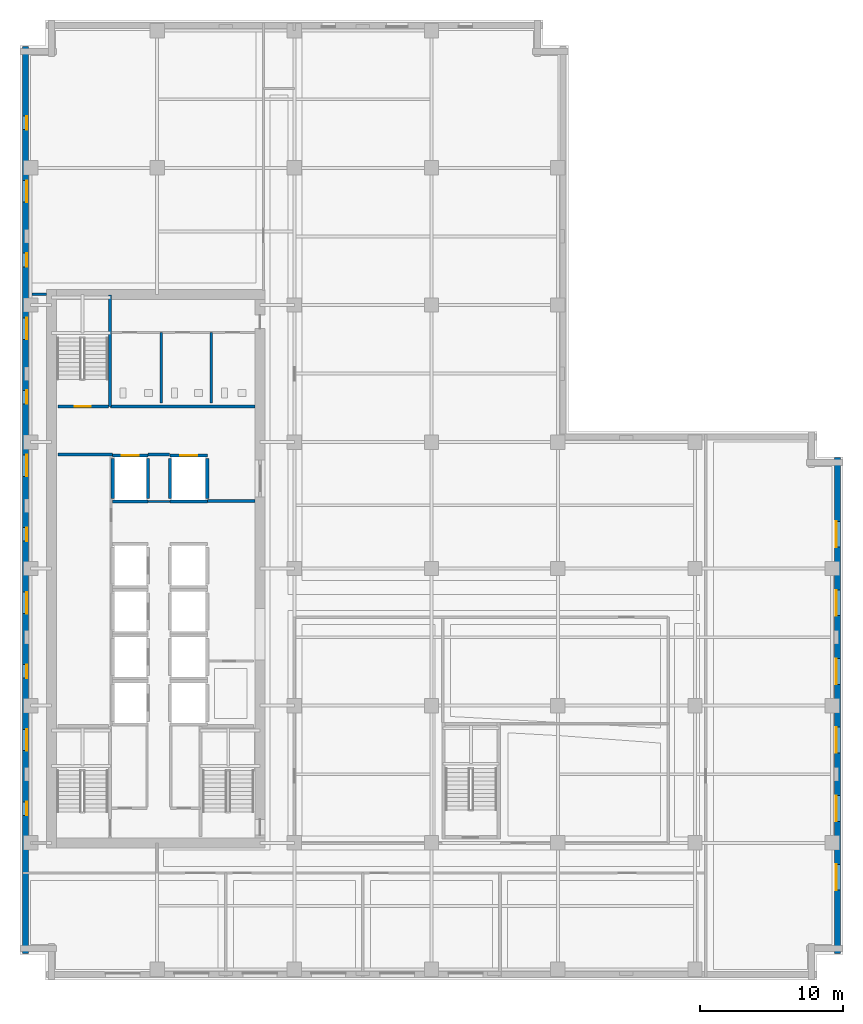
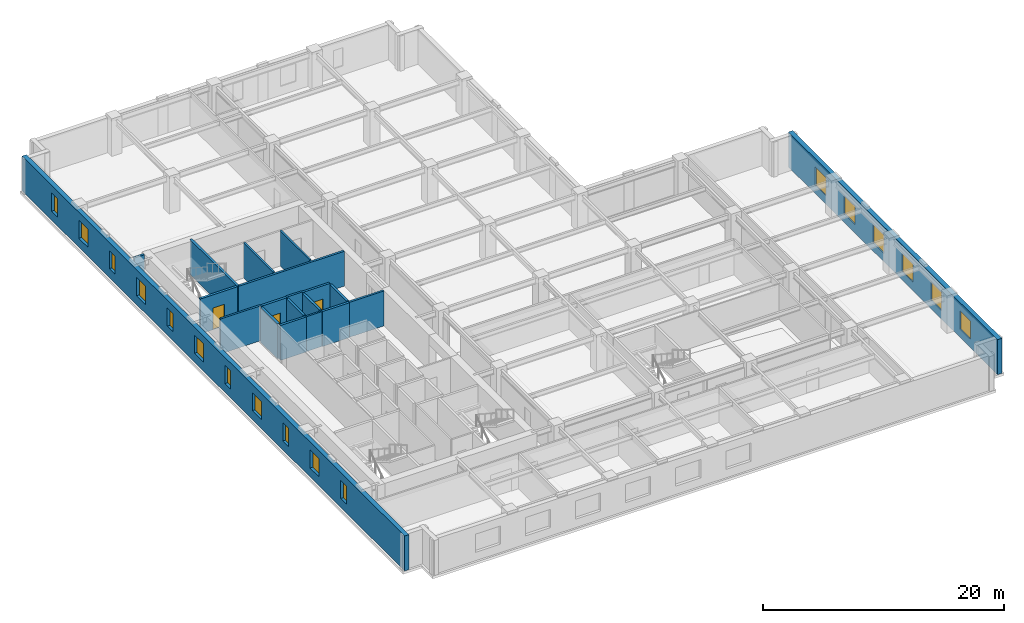
# One storey, part 5 of 11: 20 walls, 17 windows, 3 doors, 20 openings.
"""IFC4 building model written with IfcOpenShell, lengths in metres."""

from ifc_helpers import new_model, si_unit, direction, frame, frame_2d, origin, place, context, subcontext, project, spatial, rectangle, extrude, material, layer, layer_set, type_object, element, fill, save


model = new_model("IFC4")

# Units and contexts
model_context = context("Model", 3, precision=1e-05, world=origin(), true_north=direction((0.0, 1.0)))
body_context = subcontext(model_context, "Body", "Model", "MODEL_VIEW")
ifc_project = project(units=[si_unit("LENGTHUNIT", "METRE"), si_unit("AREAUNIT", "SQUARE_METRE"), si_unit("VOLUMEUNIT", "CUBIC_METRE"), si_unit("PLANEANGLEUNIT", "RADIAN"), si_unit("MASSUNIT", "GRAM", prefix="KILO")], contexts=[model_context])

# Site, building, storey
site_placement = place(None, origin())
site = spatial("IfcSite", under=ifc_project, at=site_placement, CompositionType="ELEMENT")
building_placement = place(site_placement, origin())
building = spatial("IfcBuilding", under=site, at=building_placement, Name="Norrvale University Quadrangle", CompositionType="ELEMENT")
storey_placement = place(building_placement, frame((0.0, 0.0, 124.199951171875)))
storey = spatial("IfcBuildingStorey", under=building, at=storey_placement, Name="L31", CompositionType="ELEMENT", Elevation=124.199951171875)

# Wall, openings, windows
ifc_material_1 = material(Name="Buff Norman Clay Brick Masonry", Category="masonry")
ifc_layer_1 = layer(ifc_material_1, 0.419921875, Name="Buff Norman Clay Brick Masonry")
ifc_layer_set_1 = layer_set([ifc_layer_1], Name="Buff Norman Clay Brick Masonry")
wall_type_1 = type_object("IfcWallType", Name="Wall Buff Brick 420", PredefinedType="SOLIDWALL", material=ifc_layer_set_1)
wall_1_placement = place(storey_placement, frame((57.2099609375, 1.840087890625, 0.0), z_axis=(0.0, 0.0, 1.0), x_axis=(0.0, 1.0, 0.0)))
wall_1 = element("IfcWall", 1, at=wall_1_placement, inside=storey, type_object=wall_type_1, Name="Exterior Brick Facade Wall L31-04.1", PredefinedType="SOLIDWALL", context=body_context, shape_type="SweptSolid", body=[
    extrude(rectangle(XDim=34.719970703125, YDim=0.419921875, at=frame_2d((17.35986328125, 0.0))), origin(), (0.0, 0.0, 1.0), 3.5400390625),
])
opening_1_placement = place(wall_1_placement, frame((4.4599609375, 0.0, 0.85009765625)))
opening_1 = element("IfcOpeningElement", 2, at=opening_1_placement, cuts=wall_1, Name="Opening W01", PredefinedType="OPENING", context=body_context, shape_type="SweptSolid", body=[
    extrude(rectangle(XDim=1.800048828125, YDim=1.85009765625, at=frame_2d((0.89990234375, 0.925048828125))), frame((0.0, 0.221923828125, 0.0), z_axis=(0.0, -1.0, 0.0), x_axis=(1.0, 0.0, 0.0)), (0.0, 0.0, 1.0), 0.44384765625),
])
opening_2_placement = place(wall_1_placement, frame((9.260009765625, 0.0, 0.85009765625)))
opening_2 = element("IfcOpeningElement", 3, at=opening_2_placement, cuts=wall_1, Name="Opening W01", PredefinedType="OPENING", context=body_context, shape_type="SweptSolid", body=[
    extrude(rectangle(XDim=1.800048828125, YDim=1.85009765625, at=frame_2d((0.89990234375, 0.925048828125))), frame((0.0, 0.221923828125, 0.0), z_axis=(0.0, -1.0, 0.0), x_axis=(1.0, 0.0, 0.0)), (0.0, 0.0, 1.0), 0.44384765625),
])
opening_3_placement = place(wall_1_placement, frame((14.06005859375, 0.0, 0.85009765625)))
opening_3 = element("IfcOpeningElement", 4, at=opening_3_placement, cuts=wall_1, Name="Opening W01", PredefinedType="OPENING", context=body_context, shape_type="SweptSolid", body=[
    extrude(rectangle(XDim=1.800048828125, YDim=1.85009765625, at=frame_2d((0.89990234375, 0.925048828125))), frame((0.0, 0.221923828125, 0.0), z_axis=(0.0, -1.0, 0.0), x_axis=(1.0, 0.0, 0.0)), (0.0, 0.0, 1.0), 0.44384765625),
])
opening_4_placement = place(wall_1_placement, frame((18.860107421875, 0.0, 0.85009765625)))
opening_4 = element("IfcOpeningElement", 5, at=opening_4_placement, cuts=wall_1, Name="Opening W01", PredefinedType="OPENING", context=body_context, shape_type="SweptSolid", body=[
    extrude(rectangle(XDim=1.800048828125, YDim=1.85009765625, at=frame_2d((0.89990234375, 0.925048828125))), frame((0.0, 0.221923828125, 0.0), z_axis=(0.0, -1.0, 0.0), x_axis=(1.0, 0.0, 0.0)), (0.0, 0.0, 1.0), 0.44384765625),
])
opening_5_placement = place(wall_1_placement, frame((23.659912109375, 0.0, 0.85009765625)))
opening_5 = element("IfcOpeningElement", 6, at=opening_5_placement, cuts=wall_1, Name="Opening W01", PredefinedType="OPENING", context=body_context, shape_type="SweptSolid", body=[
    extrude(rectangle(XDim=1.800048828125, YDim=1.85009765625, at=frame_2d((0.89990234375, 0.925048828125))), frame((0.0, 0.221923828125, 0.0), z_axis=(0.0, -1.0, 0.0), x_axis=(1.0, 0.0, 0.0)), (0.0, 0.0, 1.0), 0.44384765625),
])
opening_6_placement = place(wall_1_placement, frame((28.4599609375, 0.0, 0.85009765625)))
opening_6 = element("IfcOpeningElement", 7, at=opening_6_placement, cuts=wall_1, Name="Opening W01", PredefinedType="OPENING", context=body_context, shape_type="SweptSolid", body=[
    extrude(rectangle(XDim=1.800048828125, YDim=1.85009765625, at=frame_2d((0.89990234375, 0.925048828125))), frame((0.0, 0.221923828125, 0.0), z_axis=(0.0, -1.0, 0.0), x_axis=(1.0, 0.0, 0.0)), (0.0, 0.0, 1.0), 0.44384765625),
])
ifc_material_2 = material(Name="Triple Low-E Argon Glazing", Category="glass")
window_type_1 = type_object("IfcWindowType", Name="Window Academic 1800x2300", PartitioningType="DOUBLE_PANEL_VERTICAL", PredefinedType="WINDOW", material=ifc_material_2)
window_1_placement = place(opening_1_placement, origin())
window_1 = element("IfcWindow", 8, at=window_1_placement, inside=storey, type_object=window_type_1, Name="Window Academic 1800x2300 WIN-L31-E04-1-01", OverallHeight=1.85009765625, OverallWidth=1.800048828125, PartitioningType="DOUBLE_PANEL_VERTICAL", PredefinedType="WINDOW", context=body_context, shape_type="SweptSolid", body=[
    extrude(rectangle(XDim=1.800048828125, YDim=1.85009765625, at=frame_2d((0.89990234375, 0.925048828125))), frame((0.0, 0.110107421875, 0.0), z_axis=(0.0, -1.0, 0.0), x_axis=(1.0, 0.0, 0.0)), (0.0, 0.0, 1.0), 0.06005859375),
])
fill(opening_1, window_1)
window_2_placement = place(opening_2_placement, origin())
window_2 = element("IfcWindow", 9, at=window_2_placement, inside=storey, type_object=window_type_1, Name="Window Academic 1800x2300 WIN-L31-E04-1-02", OverallHeight=1.85009765625, OverallWidth=1.800048828125, PartitioningType="DOUBLE_PANEL_VERTICAL", PredefinedType="WINDOW", context=body_context, shape_type="SweptSolid", body=[
    extrude(rectangle(XDim=1.800048828125, YDim=1.85009765625, at=frame_2d((0.89990234375, 0.925048828125))), frame((0.0, 0.110107421875, 0.0), z_axis=(0.0, -1.0, 0.0), x_axis=(1.0, 0.0, 0.0)), (0.0, 0.0, 1.0), 0.06005859375),
])
fill(opening_2, window_2)
window_3_placement = place(opening_3_placement, origin())
window_3 = element("IfcWindow", 10, at=window_3_placement, inside=storey, type_object=window_type_1, Name="Window Academic 1800x2300 WIN-L31-E04-1-03", OverallHeight=1.85009765625, OverallWidth=1.800048828125, PartitioningType="DOUBLE_PANEL_VERTICAL", PredefinedType="WINDOW", context=body_context, shape_type="SweptSolid", body=[
    extrude(rectangle(XDim=1.800048828125, YDim=1.85009765625, at=frame_2d((0.89990234375, 0.925048828125))), frame((0.0, 0.110107421875, 0.0), z_axis=(0.0, -1.0, 0.0), x_axis=(1.0, 0.0, 0.0)), (0.0, 0.0, 1.0), 0.06005859375),
])
fill(opening_3, window_3)
window_4_placement = place(opening_4_placement, origin())
window_4 = element("IfcWindow", 11, at=window_4_placement, inside=storey, type_object=window_type_1, Name="Window Academic 1800x2300 WIN-L31-E04-1-04", OverallHeight=1.85009765625, OverallWidth=1.800048828125, PartitioningType="DOUBLE_PANEL_VERTICAL", PredefinedType="WINDOW", context=body_context, shape_type="SweptSolid", body=[
    extrude(rectangle(XDim=1.800048828125, YDim=1.85009765625, at=frame_2d((0.89990234375, 0.925048828125))), frame((0.0, 0.110107421875, 0.0), z_axis=(0.0, -1.0, 0.0), x_axis=(1.0, 0.0, 0.0)), (0.0, 0.0, 1.0), 0.06005859375),
])
fill(opening_4, window_4)
window_5_placement = place(opening_5_placement, origin())
window_5 = element("IfcWindow", 12, at=window_5_placement, inside=storey, type_object=window_type_1, Name="Window Academic 1800x2300 WIN-L31-E04-1-05", OverallHeight=1.85009765625, OverallWidth=1.800048828125, PartitioningType="DOUBLE_PANEL_VERTICAL", PredefinedType="WINDOW", context=body_context, shape_type="SweptSolid", body=[
    extrude(rectangle(XDim=1.800048828125, YDim=1.85009765625, at=frame_2d((0.89990234375, 0.925048828125))), frame((0.0, 0.110107421875, 0.0), z_axis=(0.0, -1.0, 0.0), x_axis=(1.0, 0.0, 0.0)), (0.0, 0.0, 1.0), 0.06005859375),
])
fill(opening_5, window_5)
window_6_placement = place(opening_6_placement, origin())
window_6 = element("IfcWindow", 13, at=window_6_placement, inside=storey, type_object=window_type_1, Name="Window Academic 1800x2300 WIN-L31-E04-1-06", OverallHeight=1.85009765625, OverallWidth=1.800048828125, PartitioningType="DOUBLE_PANEL_VERTICAL", PredefinedType="WINDOW", context=body_context, shape_type="SweptSolid", body=[
    extrude(rectangle(XDim=1.800048828125, YDim=1.85009765625, at=frame_2d((0.89990234375, 0.925048828125))), frame((0.0, 0.110107421875, 0.0), z_axis=(0.0, -1.0, 0.0), x_axis=(1.0, 0.0, 0.0)), (0.0, 0.0, 1.0), 0.06005859375),
])
fill(opening_6, window_6)

wall_2_placement = place(storey_placement, frame((0.389892578125, 65.360107421875, 0.0), z_axis=(0.0, 0.0, 1.0), x_axis=(0.0, -1.0, 0.0)))
wall_2 = element("IfcWall", 14, at=wall_2_placement, inside=storey, type_object=wall_type_1, Name="Exterior Brick Facade Wall L31-14.1", PredefinedType="SOLIDWALL", context=body_context, shape_type="SweptSolid", body=[
    extrude(rectangle(XDim=63.52001953125, YDim=0.419921875, at=frame_2d((31.760009765625, 0.0))), origin(), (0.0, 0.0, 1.0), 3.5400390625),
])
opening_7_placement = place(wall_2_placement, frame((4.885009765625, 0.0, 0.89990234375)))
opening_7 = element("IfcOpeningElement", 15, at=opening_7_placement, cuts=wall_2, Name="Opening W04", PredefinedType="OPENING", context=body_context, shape_type="SweptSolid", body=[
    extrude(rectangle(XDim=0.949951171875, YDim=1.85009765625, at=frame_2d((0.47509765625, 0.925048828125))), frame((0.0, 0.221923828125, 0.0), z_axis=(0.0, -1.0, 0.0), x_axis=(1.0, 0.0, 0.0)), (0.0, 0.0, 1.0), 0.44384765625),
])
opening_8_placement = place(wall_2_placement, frame((9.409912109375, 0.0, 0.89990234375)))
opening_8 = element("IfcOpeningElement", 16, at=opening_8_placement, cuts=wall_2, Name="Opening W03", PredefinedType="OPENING", context=body_context, shape_type="SweptSolid", body=[
    extrude(rectangle(XDim=1.5, YDim=1.85009765625, at=frame_2d((0.75, 0.925048828125))), frame((0.0, 0.221923828125, 0.0), z_axis=(0.0, -1.0, 0.0), x_axis=(1.0, 0.0, 0.0)), (0.0, 0.0, 1.0), 0.44384765625),
])
opening_9_placement = place(wall_2_placement, frame((14.485107421875, 0.0, 0.89990234375)))
opening_9 = element("IfcOpeningElement", 17, at=opening_9_placement, cuts=wall_2, Name="Opening W04", PredefinedType="OPENING", context=body_context, shape_type="SweptSolid", body=[
    extrude(rectangle(XDim=0.949951171875, YDim=1.85009765625, at=frame_2d((0.47509765625, 0.925048828125))), frame((0.0, 0.221923828125, 0.0), z_axis=(0.0, -1.0, 0.0), x_axis=(1.0, 0.0, 0.0)), (0.0, 0.0, 1.0), 0.44384765625),
])
opening_10_placement = place(wall_2_placement, frame((19.010009765625, 0.0, 0.89990234375)))
opening_10 = element("IfcOpeningElement", 18, at=opening_10_placement, cuts=wall_2, Name="Opening W03", PredefinedType="OPENING", context=body_context, shape_type="SweptSolid", body=[
    extrude(rectangle(XDim=1.5, YDim=1.85009765625, at=frame_2d((0.75, 0.925048828125))), frame((0.0, 0.221923828125, 0.0), z_axis=(0.0, -1.0, 0.0), x_axis=(1.0, 0.0, 0.0)), (0.0, 0.0, 1.0), 0.44384765625),
])
opening_11_placement = place(wall_2_placement, frame((24.0849609375, 0.0, 0.89990234375)))
opening_11 = element("IfcOpeningElement", 19, at=opening_11_placement, cuts=wall_2, Name="Opening W04", PredefinedType="OPENING", context=body_context, shape_type="SweptSolid", body=[
    extrude(rectangle(XDim=0.949951171875, YDim=1.85009765625, at=frame_2d((0.47509765625, 0.925048828125))), frame((0.0, 0.221923828125, 0.0), z_axis=(0.0, -1.0, 0.0), x_axis=(1.0, 0.0, 0.0)), (0.0, 0.0, 1.0), 0.44384765625),
])
opening_12_placement = place(wall_2_placement, frame((28.610107421875, 0.0, 0.89990234375)))
opening_12 = element("IfcOpeningElement", 20, at=opening_12_placement, cuts=wall_2, Name="Opening W03", PredefinedType="OPENING", context=body_context, shape_type="SweptSolid", body=[
    extrude(rectangle(XDim=1.5, YDim=1.85009765625, at=frame_2d((0.75, 0.925048828125))), frame((0.0, 0.221923828125, 0.0), z_axis=(0.0, -1.0, 0.0), x_axis=(1.0, 0.0, 0.0)), (0.0, 0.0, 1.0), 0.44384765625),
])
opening_13_placement = place(wall_2_placement, frame((33.68505859375, 0.0, 0.89990234375)))
opening_13 = element("IfcOpeningElement", 21, at=opening_13_placement, cuts=wall_2, Name="Opening W04", PredefinedType="OPENING", context=body_context, shape_type="SweptSolid", body=[
    extrude(rectangle(XDim=0.949951171875, YDim=1.85009765625, at=frame_2d((0.47509765625, 0.925048828125))), frame((0.0, 0.221923828125, 0.0), z_axis=(0.0, -1.0, 0.0), x_axis=(1.0, 0.0, 0.0)), (0.0, 0.0, 1.0), 0.44384765625),
])
opening_14_placement = place(wall_2_placement, frame((38.2099609375, 0.0, 0.89990234375)))
opening_14 = element("IfcOpeningElement", 22, at=opening_14_placement, cuts=wall_2, Name="Opening W03", PredefinedType="OPENING", context=body_context, shape_type="SweptSolid", body=[
    extrude(rectangle(XDim=1.5, YDim=1.85009765625, at=frame_2d((0.75, 0.925048828125))), frame((0.0, 0.221923828125, 0.0), z_axis=(0.0, -1.0, 0.0), x_axis=(1.0, 0.0, 0.0)), (0.0, 0.0, 1.0), 0.44384765625),
])
opening_15_placement = place(wall_2_placement, frame((43.284912109375, 0.0, 0.89990234375)))
opening_15 = element("IfcOpeningElement", 23, at=opening_15_placement, cuts=wall_2, Name="Opening W04", PredefinedType="OPENING", context=body_context, shape_type="SweptSolid", body=[
    extrude(rectangle(XDim=0.949951171875, YDim=1.85009765625, at=frame_2d((0.47509765625, 0.925048828125))), frame((0.0, 0.221923828125, 0.0), z_axis=(0.0, -1.0, 0.0), x_axis=(1.0, 0.0, 0.0)), (0.0, 0.0, 1.0), 0.44384765625),
])
opening_16_placement = place(wall_2_placement, frame((47.81005859375, 0.0, 0.89990234375)))
opening_16 = element("IfcOpeningElement", 24, at=opening_16_placement, cuts=wall_2, Name="Opening W03", PredefinedType="OPENING", context=body_context, shape_type="SweptSolid", body=[
    extrude(rectangle(XDim=1.5, YDim=1.85009765625, at=frame_2d((0.75, 0.925048828125))), frame((0.0, 0.221923828125, 0.0), z_axis=(0.0, -1.0, 0.0), x_axis=(1.0, 0.0, 0.0)), (0.0, 0.0, 1.0), 0.44384765625),
])
opening_17_placement = place(wall_2_placement, frame((52.885009765625, 0.0, 0.89990234375)))
opening_17 = element("IfcOpeningElement", 25, at=opening_17_placement, cuts=wall_2, Name="Opening W04", PredefinedType="OPENING", context=body_context, shape_type="SweptSolid", body=[
    extrude(rectangle(XDim=0.949951171875, YDim=1.85009765625, at=frame_2d((0.47509765625, 0.925048828125))), frame((0.0, 0.221923828125, 0.0), z_axis=(0.0, -1.0, 0.0), x_axis=(1.0, 0.0, 0.0)), (0.0, 0.0, 1.0), 0.44384765625),
])
window_type_2 = type_object("IfcWindowType", Name="Window Narrow Pier 950x2300", PartitioningType="SINGLE_PANEL", PredefinedType="WINDOW", material=ifc_material_2)
window_7_placement = place(opening_7_placement, origin())
window_7 = element("IfcWindow", 26, at=window_7_placement, inside=storey, type_object=window_type_2, Name="Window Narrow Pier 950x2300 WIN-L31-E14-1-01", OverallHeight=1.85009765625, OverallWidth=0.949951171875, PartitioningType="SINGLE_PANEL", PredefinedType="WINDOW", context=body_context, shape_type="SweptSolid", body=[
    extrude(rectangle(XDim=0.949951171875, YDim=1.85009765625, at=frame_2d((0.47509765625, 0.925048828125))), frame((0.0, 0.110107421875, 0.0), z_axis=(0.0, -1.0, 0.0), x_axis=(1.0, 0.0, 0.0)), (0.0, 0.0, 1.0), 0.06005859375),
])
fill(opening_7, window_7)
window_8_placement = place(opening_9_placement, origin())
window_8 = element("IfcWindow", 27, at=window_8_placement, inside=storey, type_object=window_type_2, Name="Window Narrow Pier 950x2300 WIN-L31-E14-1-03", OverallHeight=1.85009765625, OverallWidth=0.949951171875, PartitioningType="SINGLE_PANEL", PredefinedType="WINDOW", context=body_context, shape_type="SweptSolid", body=[
    extrude(rectangle(XDim=0.949951171875, YDim=1.85009765625, at=frame_2d((0.47509765625, 0.925048828125))), frame((0.0, 0.110107421875, 0.0), z_axis=(0.0, -1.0, 0.0), x_axis=(1.0, 0.0, 0.0)), (0.0, 0.0, 1.0), 0.06005859375),
])
fill(opening_9, window_8)
window_9_placement = place(opening_11_placement, origin())
window_9 = element("IfcWindow", 28, at=window_9_placement, inside=storey, type_object=window_type_2, Name="Window Narrow Pier 950x2300 WIN-L31-E14-1-05", OverallHeight=1.85009765625, OverallWidth=0.949951171875, PartitioningType="SINGLE_PANEL", PredefinedType="WINDOW", context=body_context, shape_type="SweptSolid", body=[
    extrude(rectangle(XDim=0.949951171875, YDim=1.85009765625, at=frame_2d((0.47509765625, 0.925048828125))), frame((0.0, 0.110107421875, 0.0), z_axis=(0.0, -1.0, 0.0), x_axis=(1.0, 0.0, 0.0)), (0.0, 0.0, 1.0), 0.06005859375),
])
fill(opening_11, window_9)
window_10_placement = place(opening_13_placement, origin())
window_10 = element("IfcWindow", 29, at=window_10_placement, inside=storey, type_object=window_type_2, Name="Window Narrow Pier 950x2300 WIN-L31-E14-1-07", OverallHeight=1.85009765625, OverallWidth=0.949951171875, PartitioningType="SINGLE_PANEL", PredefinedType="WINDOW", context=body_context, shape_type="SweptSolid", body=[
    extrude(rectangle(XDim=0.949951171875, YDim=1.85009765625, at=frame_2d((0.47509765625, 0.925048828125))), frame((0.0, 0.110107421875, 0.0), z_axis=(0.0, -1.0, 0.0), x_axis=(1.0, 0.0, 0.0)), (0.0, 0.0, 1.0), 0.06005859375),
])
fill(opening_13, window_10)
window_11_placement = place(opening_15_placement, origin())
window_11 = element("IfcWindow", 30, at=window_11_placement, inside=storey, type_object=window_type_2, Name="Window Narrow Pier 950x2300 WIN-L31-E14-1-09", OverallHeight=1.85009765625, OverallWidth=0.949951171875, PartitioningType="SINGLE_PANEL", PredefinedType="WINDOW", context=body_context, shape_type="SweptSolid", body=[
    extrude(rectangle(XDim=0.949951171875, YDim=1.85009765625, at=frame_2d((0.47509765625, 0.925048828125))), frame((0.0, 0.110107421875, 0.0), z_axis=(0.0, -1.0, 0.0), x_axis=(1.0, 0.0, 0.0)), (0.0, 0.0, 1.0), 0.06005859375),
])
fill(opening_15, window_11)
window_12_placement = place(opening_17_placement, origin())
window_12 = element("IfcWindow", 31, at=window_12_placement, inside=storey, type_object=window_type_2, Name="Window Narrow Pier 950x2300 WIN-L31-E14-1-11", OverallHeight=1.85009765625, OverallWidth=0.949951171875, PartitioningType="SINGLE_PANEL", PredefinedType="WINDOW", context=body_context, shape_type="SweptSolid", body=[
    extrude(rectangle(XDim=0.949951171875, YDim=1.85009765625, at=frame_2d((0.47509765625, 0.925048828125))), frame((0.0, 0.110107421875, 0.0), z_axis=(0.0, -1.0, 0.0), x_axis=(1.0, 0.0, 0.0)), (0.0, 0.0, 1.0), 0.06005859375),
])
fill(opening_17, window_12)
window_type_3 = type_object("IfcWindowType", Name="Window Studio 1500x2300", PartitioningType="DOUBLE_PANEL_VERTICAL", PredefinedType="WINDOW", material=ifc_material_2)
window_13_placement = place(opening_8_placement, origin())
window_13 = element("IfcWindow", 32, at=window_13_placement, inside=storey, type_object=window_type_3, Name="Window Studio 1500x2300 WIN-L31-E14-1-02", OverallHeight=1.85009765625, OverallWidth=1.5, PartitioningType="DOUBLE_PANEL_VERTICAL", PredefinedType="WINDOW", context=body_context, shape_type="SweptSolid", body=[
    extrude(rectangle(XDim=1.5, YDim=1.85009765625, at=frame_2d((0.75, 0.925048828125))), frame((0.0, 0.110107421875, 0.0), z_axis=(0.0, -1.0, 0.0), x_axis=(1.0, 0.0, 0.0)), (0.0, 0.0, 1.0), 0.06005859375),
])
fill(opening_8, window_13)
window_14_placement = place(opening_10_placement, origin())
window_14 = element("IfcWindow", 33, at=window_14_placement, inside=storey, type_object=window_type_3, Name="Window Studio 1500x2300 WIN-L31-E14-1-04", OverallHeight=1.85009765625, OverallWidth=1.5, PartitioningType="DOUBLE_PANEL_VERTICAL", PredefinedType="WINDOW", context=body_context, shape_type="SweptSolid", body=[
    extrude(rectangle(XDim=1.5, YDim=1.85009765625, at=frame_2d((0.75, 0.925048828125))), frame((0.0, 0.110107421875, 0.0), z_axis=(0.0, -1.0, 0.0), x_axis=(1.0, 0.0, 0.0)), (0.0, 0.0, 1.0), 0.06005859375),
])
fill(opening_10, window_14)
window_15_placement = place(opening_12_placement, origin())
window_15 = element("IfcWindow", 34, at=window_15_placement, inside=storey, type_object=window_type_3, Name="Window Studio 1500x2300 WIN-L31-E14-1-06", OverallHeight=1.85009765625, OverallWidth=1.5, PartitioningType="DOUBLE_PANEL_VERTICAL", PredefinedType="WINDOW", context=body_context, shape_type="SweptSolid", body=[
    extrude(rectangle(XDim=1.5, YDim=1.85009765625, at=frame_2d((0.75, 0.925048828125))), frame((0.0, 0.110107421875, 0.0), z_axis=(0.0, -1.0, 0.0), x_axis=(1.0, 0.0, 0.0)), (0.0, 0.0, 1.0), 0.06005859375),
])
fill(opening_12, window_15)
window_16_placement = place(opening_14_placement, origin())
window_16 = element("IfcWindow", 35, at=window_16_placement, inside=storey, type_object=window_type_3, Name="Window Studio 1500x2300 WIN-L31-E14-1-08", OverallHeight=1.85009765625, OverallWidth=1.5, PartitioningType="DOUBLE_PANEL_VERTICAL", PredefinedType="WINDOW", context=body_context, shape_type="SweptSolid", body=[
    extrude(rectangle(XDim=1.5, YDim=1.85009765625, at=frame_2d((0.75, 0.925048828125))), frame((0.0, 0.110107421875, 0.0), z_axis=(0.0, -1.0, 0.0), x_axis=(1.0, 0.0, 0.0)), (0.0, 0.0, 1.0), 0.06005859375),
])
fill(opening_14, window_16)
window_17_placement = place(opening_16_placement, origin())
window_17 = element("IfcWindow", 36, at=window_17_placement, inside=storey, type_object=window_type_3, Name="Window Studio 1500x2300 WIN-L31-E14-1-10", OverallHeight=1.85009765625, OverallWidth=1.5, PartitioningType="DOUBLE_PANEL_VERTICAL", PredefinedType="WINDOW", context=body_context, shape_type="SweptSolid", body=[
    extrude(rectangle(XDim=1.5, YDim=1.85009765625, at=frame_2d((0.75, 0.925048828125))), frame((0.0, 0.110107421875, 0.0), z_axis=(0.0, -1.0, 0.0), x_axis=(1.0, 0.0, 0.0)), (0.0, 0.0, 1.0), 0.06005859375),
])
fill(opening_16, window_17)

# Walls
ifc_material_3 = material(Name="Fire-Rated Gypsum Stud Partition")
ifc_layer_2 = layer(ifc_material_3, 0.14990234375, Name="Fire-Rated Gypsum Stud Partition")
ifc_layer_set_2 = layer_set([ifc_layer_2], Name="Fire-Rated Gypsum Stud Partition")
wall_type_2 = type_object("IfcWallType", Name="Wall Gypsum Corridor 150", PredefinedType="PARTITIONING", material=ifc_layer_set_2)
wall_3_placement = place(storey_placement, frame((8.965087890625, 33.489990234375, 0.0), z_axis=(0.0, 0.0, 1.0), x_axis=(1.0, 0.0, 0.0)))
element("IfcWall", 37, at=wall_3_placement, inside=storey, type_object=wall_type_2, Name="Interior Partition WL-L31-LL3", PredefinedType="PARTITIONING", context=body_context, shape_type="SweptSolid", body=[
    extrude(rectangle(XDim=1.52001953125, YDim=0.14990234375, at=frame_2d((0.760009765625, 0.0))), origin(), (0.0, 0.0, 1.0), 3.5400390625),
])
ifc_material_4 = material(Name="Sanitary Chase Gypsum Partition")
ifc_layer_3 = layer(ifc_material_4, 0.1650390625, Name="Sanitary Chase Gypsum Partition")
ifc_layer_set_3 = layer_set([ifc_layer_3], Name="Sanitary Chase Gypsum Partition")
wall_type_3 = type_object("IfcWallType", Name="Wall Gypsum Sanitary 165", PredefinedType="PLUMBINGWALL", material=ifc_layer_set_3)
for number, where, z_axis, x_axis, name in (
    (38, (9.89990234375, 40.39990234375, 0.0), (0.0, 0.0, 1.0), (0.0, 1.0, 0.0), "Interior Partition WL-L31-WCM1"),
    (39, (13.39990234375, 40.39990234375, 0.0), (0.0, 0.0, 1.0), (0.0, 1.0, 0.0), "Interior Partition WL-L31-WCM2"),
):
    element("IfcWall", number, at=place(storey_placement, frame(where, z_axis=z_axis, x_axis=x_axis)), inside=storey, type_object=wall_type_3, Name=name, PredefinedType="PLUMBINGWALL", context=body_context, shape_type="SweptSolid", body=[
        extrude(rectangle(XDim=4.920166015625, YDim=0.1650390625, at=frame_2d((2.4599609375, 0.0))), origin(), (0.0, 0.0, 1.0), 3.5400390625),
    ])
ifc_material_5 = material(Name="Concrete Blockwork 20 MPa Rated Wall", Category="masonry")
ifc_layer_4 = layer(ifc_material_5, 0.199951171875, Name="Concrete Blockwork 20 MPa Rated Wall")
ifc_layer_set_4 = layer_set([ifc_layer_4], Name="Concrete Blockwork 20 MPa Rated Wall")
wall_type_4 = type_object("IfcWallType", Name="Wall Lobby 200", PredefinedType="SOLIDWALL", material=ifc_layer_set_4)
wall_4_placement = place(storey_placement, frame((2.64990234375, 36.780029296875, 0.0), z_axis=(0.0, 0.0, 1.0), x_axis=(1.0, 0.0, 0.0)))
element("IfcWall", 40, at=wall_4_placement, inside=storey, type_object=wall_type_4, Name="Interior Partition WL-L31-FF1", PredefinedType="SOLIDWALL", context=body_context, shape_type="SweptSolid", body=[
    extrude(rectangle(XDim=3.830078125, YDim=0.199951171875, at=frame_2d((1.9150390625, 0.0))), origin(), (0.0, 0.0, 1.0), 3.5400390625),
])
wall_5_placement = place(storey_placement, frame((8.969970703125, 36.780029296875, 0.0), z_axis=(0.0, 0.0, 1.0), x_axis=(1.0, 0.0, 0.0)))
element("IfcWall", 41, at=wall_5_placement, inside=storey, type_object=wall_type_4, Name="Interior Partition WL-L31-FF2", PredefinedType="SOLIDWALL", context=body_context, shape_type="SweptSolid", body=[
    extrude(rectangle(XDim=1.510009765625, YDim=0.199951171875, at=frame_2d((0.7548828125, 0.0))), origin(), (0.0, 0.0, 1.0), 3.5400390625),
])
wall_6_placement = place(storey_placement, frame((13.1201171875, 33.52001953125, 0.0), z_axis=(0.0, 0.0, 1.0), x_axis=(1.0, 0.0, 0.0)))
element("IfcWall", 42, at=wall_6_placement, inside=storey, type_object=wall_type_4, Name="Interior Partition WL-L31-FF3", PredefinedType="SOLIDWALL", context=body_context, shape_type="SweptSolid", body=[
    extrude(rectangle(XDim=3.329833984375, YDim=0.199951171875, at=frame_2d((1.6650390625, 0.0))), origin(), (0.0, 0.0, 1.0), 3.5400390625),
])
wall_7_placement = place(storey_placement, frame((6.320068359375, 40.139892578125, 0.0), z_axis=(0.0, 0.0, 1.0), x_axis=(1.0, 0.0, 0.0)))
element("IfcWall", 43, at=wall_7_placement, inside=storey, type_object=wall_type_4, Name="Interior Partition WL-L31-FF4", PredefinedType="SOLIDWALL", context=body_context, shape_type="SweptSolid", body=[
    extrude(rectangle(XDim=10.1298828125, YDim=0.199951171875, at=frame_2d((5.06494140625, 0.0))), origin(), (0.0, 0.0, 1.0), 3.5400390625),
])
wall_8_placement = place(storey_placement, frame((0.85009765625, 48.0, 0.0), z_axis=(0.0, 0.0, 1.0), x_axis=(1.0, 0.0, 0.0)))
element("IfcWall", 44, at=wall_8_placement, inside=storey, type_object=wall_type_4, Name="Interior Partition WL-L31-CWRET-N", PredefinedType="SOLIDWALL", context=body_context, shape_type="SweptSolid", body=[
    extrude(rectangle(XDim=0.994873046875, YDim=0.199951171875, at=frame_2d((0.49755859375, 0.0))), origin(), (0.0, 0.0, 1.0), 3.5400390625),
])

# Wall, opening, door
ifc_material_6 = material(Name="Concrete Blockwork 20 MPa Fire Shaft", Category="masonry")
ifc_layer_5 = layer(ifc_material_6, 0.219970703125, Name="Concrete Blockwork 20 MPa Fire Shaft")
ifc_layer_set_5 = layer_set([ifc_layer_5], Name="Concrete Blockwork 20 MPa Fire Shaft")
wall_type_5 = type_object("IfcWallType", Name="Wall Shaft 220", PredefinedType="SOLIDWALL", material=ifc_layer_set_5)
wall_9_placement = place(storey_placement, frame((2.64990234375, 40.139892578125, 0.0), z_axis=(0.0, 0.0, 1.0), x_axis=(1.0, 0.0, 0.0)))
wall_9 = element("IfcWall", 45, at=wall_9_placement, inside=storey, type_object=wall_type_5, Name="Stair ST-02 South Shaft Wall L31", PredefinedType="SOLIDWALL", context=body_context, shape_type="SweptSolid", body=[
    extrude(rectangle(XDim=3.550048828125, YDim=0.219970703125, at=frame_2d((1.77490234375, 0.0))), origin(), (0.0, 0.0, 1.0), 3.5400390625),
])
opening_18_placement = place(wall_9_placement, frame((1.199951171875, 0.0, 0.0)))
opening_18 = element("IfcOpeningElement", 46, at=opening_18_placement, cuts=wall_9, Name="Opening D02", PredefinedType="OPENING", context=body_context, shape_type="SweptSolid", body=[
    extrude(rectangle(XDim=1.10009765625, YDim=2.199951171875, at=frame_2d((0.550048828125, 1.10009765625))), frame((0.0, 0.1220703125, 0.0), z_axis=(0.0, -1.0, 0.0), x_axis=(1.0, 0.0, 0.0)), (0.0, 0.0, 1.0), 0.243896484375),
])
ifc_material_7 = material(Name="Hollow Steel 350W Fire Door", Category="steel")
door_type_1 = type_object("IfcDoorType", Name="Door Stair Exit 1100x2200", OperationType="NOTDEFINED", PredefinedType="DOOR", material=ifc_material_7)
door_1_placement = place(opening_18_placement, origin())
door_1 = element("IfcDoor", 47, at=door_1_placement, inside=storey, type_object=door_type_1, Name="Door Stair Exit 1100x2200 DR-L31-ST02", OperationType="SINGLE_SWING_LEFT", OverallHeight=2.199951171875, OverallWidth=1.10009765625, PredefinedType="DOOR", context=body_context, shape_type="SweptSolid", body=[
    extrude(rectangle(XDim=1.10009765625, YDim=2.199951171875, at=frame_2d((0.550048828125, 1.10009765625))), frame((0.0, 0.02490234375, 0.0), z_axis=(0.0, -1.0, 0.0), x_axis=(1.0, 0.0, 0.0)), (0.0, 0.0, 1.0), 0.050048828125),
])
fill(opening_18, door_1)

# Walls
wall_10_placement = place(storey_placement, frame((6.31005859375, 40.139892578125, 0.0), z_axis=(0.0, 0.0, 1.0), x_axis=(0.0, 1.0, 0.0)))
element("IfcWall", 48, at=wall_10_placement, inside=storey, type_object=wall_type_5, Name="Stair ST-02 East Shaft Wall L31", PredefinedType="SOLIDWALL", context=body_context, shape_type="SweptSolid", body=[
    extrude(rectangle(XDim=7.81005859375, YDim=0.219970703125, at=frame_2d((3.905029296875, 0.0))), origin(), (0.0, 0.0, 1.0), 3.5400390625),
])
for number, where, z_axis, x_axis, name in (
    (49, (6.489990234375, 33.7099609375, 0.0), (0.0, 0.0, 1.0), (0.0, 1.0, 0.0), "Hoistway FFL-01 West Wall L31"),
    (50, (8.9599609375, 33.7099609375, 0.0), (0.0, 0.0, 1.0), (0.0, 1.0, 0.0), "Hoistway FFL-01 East Wall L31"),
):
    element("IfcWall", number, at=place(storey_placement, frame(where, z_axis=z_axis, x_axis=x_axis)), inside=storey, type_object=wall_type_5, Name=name, PredefinedType="SOLIDWALL", context=body_context, shape_type="SweptSolid", body=[
        extrude(rectangle(XDim=2.780029296875, YDim=0.219970703125, at=frame_2d((1.39013671875, 0.0))), origin(), (0.0, 0.0, 1.0), 3.5400390625),
    ])
wall_11_placement = place(storey_placement, frame((6.489990234375, 33.489990234375, 0.0), z_axis=(0.0, 0.0, 1.0), x_axis=(1.0, 0.0, 0.0)))
element("IfcWall", 51, at=wall_11_placement, inside=storey, type_object=wall_type_5, Name="Hoistway FFL-01 South Wall L31", PredefinedType="SOLIDWALL", context=body_context, shape_type="SweptSolid", body=[
    extrude(rectangle(XDim=2.469970703125, YDim=0.219970703125, at=frame_2d((1.23486328125, 0.0))), origin(), (0.0, 0.0, 1.0), 3.5400390625),
])

# Wall, opening, door
wall_12_placement = place(storey_placement, frame((6.489990234375, 36.7099609375, 0.0), z_axis=(0.0, 0.0, 1.0), x_axis=(1.0, 0.0, 0.0)))
wall_12 = element("IfcWall", 52, at=wall_12_placement, inside=storey, type_object=wall_type_5, Name="Hoistway FFL-01 North Wall L31", PredefinedType="SOLIDWALL", context=body_context, shape_type="SweptSolid", body=[
    extrude(rectangle(XDim=2.469970703125, YDim=0.219970703125, at=frame_2d((1.23486328125, 0.0))), origin(), (0.0, 0.0, 1.0), 3.5400390625),
])
opening_19_placement = place(wall_12_placement, frame((0.635009765625, 0.0, 0.0)))
opening_19 = element("IfcOpeningElement", 53, at=opening_19_placement, cuts=wall_12, Name="Opening LD2", PredefinedType="OPENING", context=body_context, shape_type="SweptSolid", body=[
    extrude(rectangle(XDim=1.199951171875, YDim=2.199951171875, at=frame_2d((0.60009765625, 1.10009765625))), frame((0.0, 0.1220703125, 0.0), z_axis=(0.0, -1.0, 0.0), x_axis=(1.0, 0.0, 0.0)), (0.0, 0.0, 1.0), 0.243896484375),
])
ifc_material_8 = material(Name="Stainless Steel 316L Firefighter Lift Door", Category="steel")
door_type_2 = type_object("IfcDoorType", Name="Door Fire Lift 1200x2200", OperationType="DOUBLE_DOOR_SLIDING", PredefinedType="DOOR", material=ifc_material_8)
door_2_placement = place(opening_19_placement, origin())
door_2 = element("IfcDoor", 54, at=door_2_placement, inside=storey, type_object=door_type_2, Name="Elevator Landing Door DR-L31-FFL-01", OperationType="DOUBLE_DOOR_SLIDING", OverallHeight=2.199951171875, OverallWidth=1.199951171875, PredefinedType="DOOR", context=body_context, shape_type="SweptSolid", body=[
    extrude(rectangle(XDim=1.199951171875, YDim=2.199951171875, at=frame_2d((0.60009765625, 1.10009765625))), frame((0.0, 0.02490234375, 0.0), z_axis=(0.0, -1.0, 0.0), x_axis=(1.0, 0.0, 0.0)), (0.0, 0.0, 1.0), 0.050048828125),
])
fill(opening_19, door_2)

# Walls
for number, where, z_axis, x_axis, name in (
    (55, (10.489990234375, 33.7099609375, 0.0), (0.0, 0.0, 1.0), (0.0, 1.0, 0.0), "Hoistway FFL-02 West Wall L31"),
    (56, (13.110107421875, 33.7099609375, 0.0), (0.0, 0.0, 1.0), (0.0, 1.0, 0.0), "Hoistway FFL-02 East Wall L31"),
):
    element("IfcWall", number, at=place(storey_placement, frame(where, z_axis=z_axis, x_axis=x_axis)), inside=storey, type_object=wall_type_5, Name=name, PredefinedType="SOLIDWALL", context=body_context, shape_type="SweptSolid", body=[
        extrude(rectangle(XDim=2.780029296875, YDim=0.219970703125, at=frame_2d((1.39013671875, 0.0))), origin(), (0.0, 0.0, 1.0), 3.5400390625),
    ])
wall_13_placement = place(storey_placement, frame((10.489990234375, 33.489990234375, 0.0), z_axis=(0.0, 0.0, 1.0), x_axis=(1.0, 0.0, 0.0)))
element("IfcWall", 57, at=wall_13_placement, inside=storey, type_object=wall_type_5, Name="Hoistway FFL-02 South Wall L31", PredefinedType="SOLIDWALL", context=body_context, shape_type="SweptSolid", body=[
    extrude(rectangle(XDim=2.6201171875, YDim=0.219970703125, at=frame_2d((1.31005859375, 0.0))), origin(), (0.0, 0.0, 1.0), 3.5400390625),
])

# Wall, opening, door
wall_14_placement = place(storey_placement, frame((10.489990234375, 36.7099609375, 0.0), z_axis=(0.0, 0.0, 1.0), x_axis=(1.0, 0.0, 0.0)))
wall_14 = element("IfcWall", 58, at=wall_14_placement, inside=storey, type_object=wall_type_5, Name="Hoistway FFL-02 North Wall L31", PredefinedType="SOLIDWALL", context=body_context, shape_type="SweptSolid", body=[
    extrude(rectangle(XDim=2.6201171875, YDim=0.219970703125, at=frame_2d((1.31005859375, 0.0))), origin(), (0.0, 0.0, 1.0), 3.5400390625),
])
opening_20_placement = place(wall_14_placement, frame((0.7099609375, 0.0, 0.0)))
opening_20 = element("IfcOpeningElement", 59, at=opening_20_placement, cuts=wall_14, Name="Opening LD2", PredefinedType="OPENING", context=body_context, shape_type="SweptSolid", body=[
    extrude(rectangle(XDim=1.199951171875, YDim=2.199951171875, at=frame_2d((0.60009765625, 1.10009765625))), frame((0.0, 0.1220703125, 0.0), z_axis=(0.0, -1.0, 0.0), x_axis=(1.0, 0.0, 0.0)), (0.0, 0.0, 1.0), 0.243896484375),
])
door_3_placement = place(opening_20_placement, origin())
door_3 = element("IfcDoor", 60, at=door_3_placement, inside=storey, type_object=door_type_2, Name="Elevator Landing Door DR-L31-FFL-02", OperationType="DOUBLE_DOOR_SLIDING", OverallHeight=2.199951171875, OverallWidth=1.199951171875, PredefinedType="DOOR", context=body_context, shape_type="SweptSolid", body=[
    extrude(rectangle(XDim=1.199951171875, YDim=2.199951171875, at=frame_2d((0.60009765625, 1.10009765625))), frame((0.0, 0.02490234375, 0.0), z_axis=(0.0, -1.0, 0.0), x_axis=(1.0, 0.0, 0.0)), (0.0, 0.0, 1.0), 0.050048828125),
])
fill(opening_20, door_3)

save(model, "model.ifc")
